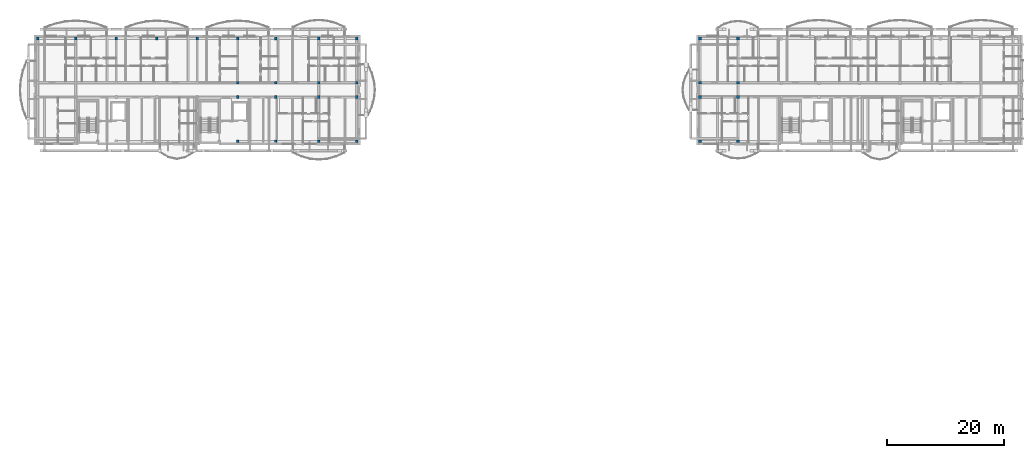
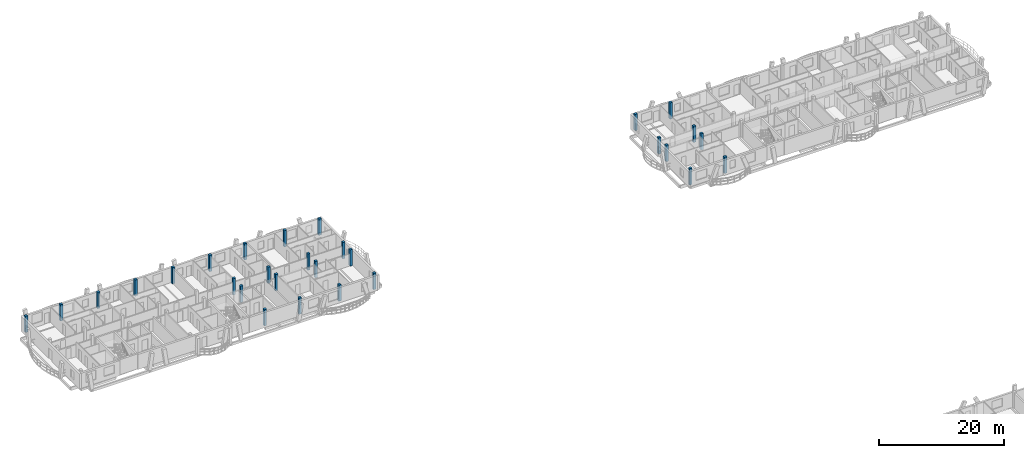
# One storey, part 2 of 52: 29 columns.
"""IFC4 building model written with IfcOpenShell, lengths in metres."""

from ifc_helpers import new_model, si_unit, direction, frame, origin, origin_2d, place, context, subcontext, project, spatial, rectangle, extrude, material, material_profile, profile_set, type_object, element, save


model = new_model("IFC4")

# Units and contexts
model_context = context("Model", 3, precision=1e-05, world=origin(), true_north=direction((0.0, 1.0)))
body_context = subcontext(model_context, "Body", "Model", "MODEL_VIEW")
ifc_project = project(units=[si_unit("LENGTHUNIT", "METRE"), si_unit("AREAUNIT", "SQUARE_METRE"), si_unit("VOLUMEUNIT", "CUBIC_METRE"), si_unit("PLANEANGLEUNIT", "RADIAN"), si_unit("MASSUNIT", "GRAM", prefix="KILO")], contexts=[model_context])

# Site, building, storey
site_placement = place(None, origin())
site = spatial("IfcSite", under=ifc_project, at=site_placement, CompositionType="ELEMENT")
building_placement = place(site_placement, origin())
building = spatial("IfcBuilding", under=site, at=building_placement, Name="Zavelmont Quarter", CompositionType="ELEMENT")
storey_placement = place(building_placement, frame((0.0, 0.0, 14.39990234375)))
storey = spatial("IfcBuildingStorey", under=building, at=storey_placement, Name="L04", CompositionType="ELEMENT", Elevation=14.39990234375)

# Columns
ifc_material = material(Name="Concrete C35/45", Category="concrete")
ifc_material_profile = material_profile(ifc_material, rectangle(XDim=0.449951171875, YDim=0.449951171875, at=origin_2d()), Name="RC450X450")
ifc_profile_set = profile_set([ifc_material_profile], Name="Concrete C35/45")
column_type = type_object("IfcColumnType", Name="CL04", PredefinedType="COLUMN", material=ifc_profile_set)
for number, where, z_axis, x_axis, name in (
    (1, (0.43994140625, 115.56005859375, 0.0), (0.0, 0.0, 1.0), (1.0, 0.0, 0.0), "L04 column CL04 at 1/S"),
    (2, (6.89990234375, 115.56005859375, 0.0), (0.0, 0.0, 1.0), (1.0, 0.0, 0.0), "L04 column CL04 at 2/S"),
    (3, (13.800048828125, 115.56005859375, 0.0), (0.0, 0.0, 1.0), (1.0, 0.0, 0.0), "L04 column CL04 at 3/S"),
    (4, (20.699951171875, 115.56005859375, 0.0), (0.0, 0.0, 1.0), (1.0, 0.0, 0.0), "L04 column CL04 at 4/S"),
    (5, (27.60009765625, 115.56005859375, 0.0), (0.0, 0.0, 1.0), (1.0, 0.0, 0.0), "L04 column CL04 at 5/S"),
    (6, (34.5, 98.0400390625, 0.0), (0.0, 0.0, 1.0), (1.0, 0.0, 0.0), "L04 column CL04 at 6/P"),
    (7, (34.5, 105.60009765625, 0.0), (0.0, 0.0, 1.0), (1.0, 0.0, 0.0), "L04 column CL04 at 6/Q"),
    (8, (34.5, 108.0, 0.0), (0.0, 0.0, 1.0), (1.0, 0.0, 0.0), "L04 column CL04 at 6/R"),
    (9, (34.5, 115.56005859375, 0.0), (0.0, 0.0, 1.0), (1.0, 0.0, 0.0), "L04 column CL04 at 6/S"),
    (10, (40.9599609375, 98.0400390625, 0.0), (0.0, 0.0, 1.0), (1.0, 0.0, 0.0), "L04 column CL04 at 7/P"),
    (11, (40.9599609375, 105.60009765625, 0.0), (0.0, 0.0, 1.0), (1.0, 0.0, 0.0), "L04 column CL04 at 7/Q"),
    (12, (40.9599609375, 108.0, 0.0), (0.0, 0.0, 1.0), (1.0, 0.0, 0.0), "L04 column CL04 at 7/R"),
    (13, (40.9599609375, 115.56005859375, 0.0), (0.0, 0.0, 1.0), (1.0, 0.0, 0.0), "L04 column CL04 at 7/S"),
    (14, (48.300048828125, 98.0400390625, 0.0), (0.0, 0.0, 1.0), (1.0, 0.0, 0.0), "L04 column CL04 at 8/P"),
    (15, (48.300048828125, 105.60009765625, 0.0), (0.0, 0.0, 1.0), (1.0, 0.0, 0.0), "L04 column CL04 at 8/Q"),
    (16, (48.300048828125, 108.0, 0.0), (0.0, 0.0, 1.0), (1.0, 0.0, 0.0), "L04 column CL04 at 8/R"),
    (17, (48.300048828125, 115.56005859375, 0.0), (0.0, 0.0, 1.0), (1.0, 0.0, 0.0), "L04 column CL04 at 8/S"),
    (18, (54.760009765625, 98.0400390625, 0.0), (0.0, 0.0, 1.0), (1.0, 0.0, 0.0), "L04 column CL04 at 9/P"),
    (19, (54.760009765625, 105.60009765625, 0.0), (0.0, 0.0, 1.0), (1.0, 0.0, 0.0), "L04 column CL04 at 9/Q"),
    (20, (54.760009765625, 108.0, 0.0), (0.0, 0.0, 1.0), (1.0, 0.0, 0.0), "L04 column CL04 at 9/R"),
    (21, (54.760009765625, 115.56005859375, 0.0), (0.0, 0.0, 1.0), (1.0, 0.0, 0.0), "L04 column CL04 at 9/S"),
    (22, (113.239990234375, 98.0400390625, 0.0), (0.0, 0.0, 1.0), (1.0, 0.0, 0.0), "L04 column CL04 at 17/P"),
    (23, (113.239990234375, 105.60009765625, 0.0), (0.0, 0.0, 1.0), (1.0, 0.0, 0.0), "L04 column CL04 at 17/Q"),
    (24, (113.239990234375, 108.0, 0.0), (0.0, 0.0, 1.0), (1.0, 0.0, 0.0), "L04 column CL04 at 17/R"),
    (25, (113.239990234375, 115.56005859375, 0.0), (0.0, 0.0, 1.0), (1.0, 0.0, 0.0), "L04 column CL04 at 17/S"),
    (26, (119.699951171875, 98.0400390625, 0.0), (0.0, 0.0, 1.0), (1.0, 0.0, 0.0), "L04 column CL04 at 18/P"),
    (27, (119.699951171875, 105.60009765625, 0.0), (0.0, 0.0, 1.0), (1.0, 0.0, 0.0), "L04 column CL04 at 18/Q"),
    (28, (119.699951171875, 108.0, 0.0), (0.0, 0.0, 1.0), (1.0, 0.0, 0.0), "L04 column CL04 at 18/R"),
    (29, (119.699951171875, 115.56005859375, 0.0), (0.0, 0.0, 1.0), (1.0, 0.0, 0.0), "L04 column CL04 at 18/S"),
):
    element("IfcColumn", number, at=place(storey_placement, frame(where, z_axis=z_axis, x_axis=x_axis)), inside=storey, type_object=column_type, Name=name, PredefinedType="COLUMN", context=body_context, shape_type="SweptSolid", body=[
        extrude(rectangle(XDim=0.449951171875, YDim=0.449951171875, at=origin_2d()), origin(), (0.0, 0.0, 1.0), 3.2001953125),
    ])

save(model, "model.ifc")
